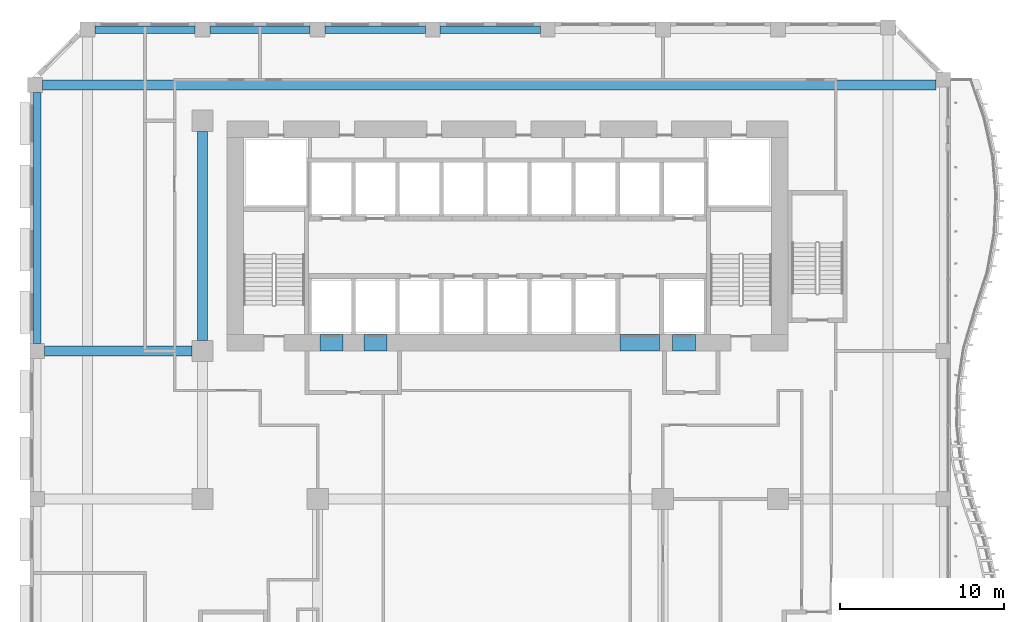
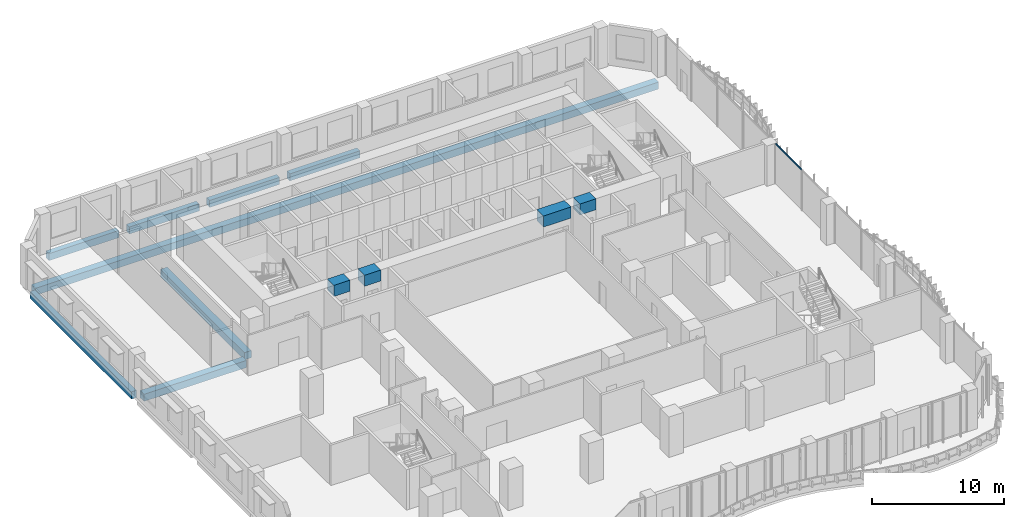
# One storey, part 7 of 24: 12 beams, 1 member, 1 element without a shape of its own.
"""IFC4 building model written with IfcOpenShell, lengths in metres."""

from ifc_helpers import new_model, si_unit, direction, frame, origin, origin_2d, place, context, subcontext, project, spatial, rectangle, extrude, source, transform, mapped, material, material_profile, profile_set, type_object, element, aggregate, save


model = new_model("IFC4")

# Units and contexts
model_context = context("Model", 3, precision=1e-05, world=origin(), true_north=direction((0.0, 1.0)))
body_context = subcontext(model_context, "Body", "Model", "MODEL_VIEW")
ifc_project = project(units=[si_unit("LENGTHUNIT", "METRE"), si_unit("AREAUNIT", "SQUARE_METRE"), si_unit("VOLUMEUNIT", "CUBIC_METRE"), si_unit("PLANEANGLEUNIT", "RADIAN"), si_unit("MASSUNIT", "GRAM", prefix="KILO")], contexts=[model_context])

# Site, building, storey
site_placement = place(None, origin())
site = spatial("IfcSite", under=ifc_project, at=site_placement, CompositionType="ELEMENT")
building_placement = place(site_placement, origin())
building = spatial("IfcBuilding", under=site, at=building_placement, Name="Kilnfold Tower and Market Hall", CompositionType="ELEMENT")
storey_placement = place(building_placement, frame((0.0, 0.0, 35.0)))
storey = spatial("IfcBuildingStorey", under=building, at=storey_placement, Name="L07", CompositionType="ELEMENT", Elevation=35.0)

# Beams
ifc_material_1 = material(Name="Concrete C45", Category="concrete")
ifc_material_profile_1 = material_profile(ifc_material_1, rectangle(XDim=0.449951171875, YDim=0.64990234375, at=origin_2d()), Name="RC 450x650")
ifc_profile_set_1 = profile_set([ifc_material_profile_1], Name="Concrete C45")
beam_type_1 = type_object("IfcBeamType", Name="EDGE BEAM 450X650 C45", PredefinedType="BEAM", material=ifc_profile_set_1)
shared_shape_1 = source(origin(), body_context, "Body", "SweptSolid", [
    extrude(rectangle(XDim=0.449951171875, YDim=0.64990234375, at=origin_2d()), origin(), (0.0, 0.0, 1.0), 6.10009765625),
])
for number, where, z_axis, x_axis, name in (
    (1, (-24.050048828125, 27.550048828125, -0.60498046875), (1.0, 0.0, 0.0), (0.0, 1.0, 0.0), "Beam EB650-B1.23"),
    (2, (-17.050048828125, 27.550048828125, -0.60498046875), (1.0, 0.0, 0.0), (0.0, 1.0, 0.0), "Beam EB650-B1.24"),
    (3, (-10.050048828125, 27.550048828125, -0.60498046875), (1.0, 0.0, 0.0), (0.0, 1.0, 0.0), "Beam EB650-B1.25"),
    (4, (-3.050048828125, 27.550048828125, -0.60498046875), (1.0, 0.0, 0.0), (0.0, 1.0, 0.0), "Beam EB650-B1.26"),
):
    element("IfcBeam", number, at=place(storey_placement, frame(where, z_axis=z_axis, x_axis=x_axis)), inside=storey, type_object=beam_type_1, Name=name, PredefinedType="BEAM", context=body_context, shape_type="MappedRepresentation", body=[
        mapped(shared_shape_1, transform((0.0, 0.0, 0.0))),
    ])
ifc_material_2 = material(Name="Concrete C45", Category="concrete")
ifc_material_profile_2 = material_profile(ifc_material_2, rectangle(XDim=0.60009765625, YDim=0.64990234375, at=origin_2d()), Name="RC 600x650")
ifc_profile_set_2 = profile_set([ifc_material_profile_2], Name="Concrete C45")
beam_type_2 = type_object("IfcBeamType", Name="BEAM 600X650 C45", PredefinedType="BEAM", material=ifc_profile_set_2)
shared_shape_2 = source(origin(), body_context, "Body", "SweptSolid", [
    extrude(rectangle(XDim=0.60009765625, YDim=0.64990234375, at=origin_2d()), origin(), (0.0, 0.0, 1.0), 8.9501953125),
])
beam_1_placement = place(storey_placement, frame((-27.10009765625, 8.0, -0.60498046875), z_axis=(1.0, 0.0, 0.0), x_axis=(0.0, 1.0, 0.0)))
element("IfcBeam", 5, at=beam_1_placement, inside=storey, type_object=beam_type_2, Name="Beam BB650-B1.21", PredefinedType="BEAM", context=body_context, shape_type="MappedRepresentation", body=[
    mapped(shared_shape_2, transform((0.0, 0.0, 0.0))),
])
shared_shape_3 = source(origin(), body_context, "Body", "SweptSolid", [
    extrude(rectangle(XDim=0.60009765625, YDim=0.64990234375, at=origin_2d()), origin(), (0.0, 0.0, 1.0), 54.331787109375),
])
beam_2_placement = place(storey_placement, frame((-27.231689453125, 24.179931640625, -0.60498046875), z_axis=(1.0, 0.0, 0.0), x_axis=(0.0, 1.0, 0.0)))
element("IfcBeam", 6, at=beam_2_placement, inside=storey, type_object=beam_type_2, Name="Beam BB650-B1.22", PredefinedType="BEAM", context=body_context, shape_type="MappedRepresentation", body=[
    mapped(shared_shape_3, transform((0.0, 0.0, 0.0))),
])
shared_shape_4 = source(origin(), body_context, "Body", "SweptSolid", [
    extrude(rectangle(XDim=0.449951171875, YDim=0.64990234375, at=origin_2d()), origin(), (0.0, 0.0, 1.0), 15.28173828125),
])
beam_3_placement = place(storey_placement, frame((-27.550048828125, 8.449951171875, -0.60498046875), z_axis=(0.0, 1.0, 0.0), x_axis=(-1.0, 0.0, 0.0)))
element("IfcBeam", 7, at=beam_3_placement, inside=storey, type_object=beam_type_1, Name="Beam EB650-B1.34", PredefinedType="BEAM", context=body_context, shape_type="MappedRepresentation", body=[
    mapped(shared_shape_4, transform((0.0, 0.0, 0.0))),
])
shared_shape_5 = source(origin(), body_context, "Body", "SweptSolid", [
    extrude(rectangle(XDim=0.60009765625, YDim=0.64990234375, at=origin_2d()), origin(), (0.0, 0.0, 1.0), 12.7001953125),
])
beam_4_placement = place(storey_placement, frame((-17.5, 8.64990234375, -0.60498046875), z_axis=(0.0, 1.0, 0.0), x_axis=(-1.0, 0.0, 0.0)))
element("IfcBeam", 8, at=beam_4_placement, inside=storey, type_object=beam_type_2, Name="Beam BB650-B1.38", PredefinedType="BEAM", context=body_context, shape_type="MappedRepresentation", body=[
    mapped(shared_shape_5, transform((0.0, 0.0, 0.0))),
])
ifc_material_3 = material(Name="Concrete C80", Category="concrete")
ifc_material_profile_3 = material_profile(ifc_material_3, rectangle(XDim=1.0, YDim=1.02001953125, at=origin_2d()), Name="RC 1000x1020")
ifc_profile_set_3 = profile_set([ifc_material_profile_3], Name="Concrete C80")
beam_type_3 = type_object("IfcBeamType", Name="COUPLING BEAM 1000X1020 C80", PredefinedType="BEAM", material=ifc_profile_set_3)
shared_shape_6 = source(origin(), body_context, "Body", "SweptSolid", [
    extrude(rectangle(XDim=1.0, YDim=1.02001953125, at=origin_2d()), origin(), (0.0, 0.0, 1.0), 1.400146484375),
])
beam_5_placement = place(storey_placement, frame((-10.3701171875, 8.5, 3.2099609375), z_axis=(1.0, 0.0, 0.0), x_axis=(0.0, 1.0, 0.0)))
element("IfcBeam", 9, at=beam_5_placement, inside=storey, type_object=beam_type_3, Name="Coupling beam CB1020-80-CORE.42", PredefinedType="BEAM", context=body_context, shape_type="MappedRepresentation", body=[
    mapped(shared_shape_6, transform((0.0, 0.0, 0.0))),
])
shared_shape_7 = source(origin(), body_context, "Body", "SweptSolid", [
    extrude(rectangle(XDim=1.0, YDim=1.02001953125, at=origin_2d()), origin(), (0.0, 0.0, 1.0), 1.39990234375),
])
for number, where, z_axis, x_axis, name in (
    (10, (-7.68994140625, 8.5, 3.2099609375), (1.0, 0.0, 0.0), (0.0, 1.0, 0.0), "Coupling beam CB1020-80-CORE.43"),
    (11, (11.070068359375, 8.5, 3.2099609375), (1.0, 0.0, 0.0), (0.0, 1.0, 0.0), "Coupling beam CB1020-80-CORE.45"),
):
    element("IfcBeam", number, at=place(storey_placement, frame(where, z_axis=z_axis, x_axis=x_axis)), inside=storey, type_object=beam_type_3, Name=name, PredefinedType="BEAM", context=body_context, shape_type="MappedRepresentation", body=[
        mapped(shared_shape_7, transform((0.0, 0.0, 0.0))),
    ])
shared_shape_8 = source(origin(), body_context, "Body", "SweptSolid", [
    extrude(rectangle(XDim=1.0, YDim=1.02001953125, at=origin_2d()), origin(), (0.0, 0.0, 1.0), 2.400146484375),
])
beam_6_placement = place(storey_placement, frame((7.889892578125, 8.5, 3.2099609375), z_axis=(1.0, 0.0, 0.0), x_axis=(0.0, 1.0, 0.0)))
element("IfcBeam", 12, at=beam_6_placement, inside=storey, type_object=beam_type_3, Name="Coupling beam CB1020-80-CORE.44", PredefinedType="BEAM", context=body_context, shape_type="MappedRepresentation", body=[
    mapped(shared_shape_8, transform((0.0, 0.0, 0.0))),
])

# Curtain wall, member
ifc_material_4 = material(Name="Aluminium and double glazing", Category="aluminium")
curtain_wall_type = type_object("IfcCurtainWallType", Name="CW OF1 VALLEY GLAZING", PredefinedType="NOTDEFINED", material=ifc_material_4)
curtain_wall_placement = place(storey_placement, origin())
curtain_wall = element("IfcCurtainWall", 13, at=curtain_wall_placement, inside=storey, type_object=curtain_wall_type, Name="Curtain wall CW1 L07 E", PredefinedType="NOTDEFINED")
ifc_material_5 = material(Name="Aluminium", Category="aluminium")
ifc_material_profile_4 = material_profile(ifc_material_5, rectangle(XDim=0.06005859375, YDim=0.139892578125, at=origin_2d()), Name="TRANSOM 60x140")
ifc_profile_set_4 = profile_set([ifc_material_profile_4], Name="Aluminium")
member_type = type_object("IfcMemberType", Name="TRANSOM 60X140", PredefinedType="USERDEFINED", material=ifc_profile_set_4)
shared_shape_9 = source(origin(), body_context, "Body", "SweptSolid", [
    extrude(rectangle(XDim=0.06005859375, YDim=0.139892578125, at=origin_2d()), origin(), (0.0, 0.0, 1.0), 3.929931640625),
])
member_placement = place(storey_placement, frame((27.85009765625, 3.56005859375, 3.68994140625), z_axis=(0.0, 1.0, 0.0), x_axis=(-1.0, 0.0, 0.0)))
member = element("IfcMember", 14, at=member_placement, type_object=member_type, Name="CW1 transom 1.2", ObjectType="TRANSOM", PredefinedType="USERDEFINED", context=body_context, shape_type="MappedRepresentation", body=[
    mapped(shared_shape_9, transform((0.0, 0.0, 0.0))),
])
aggregate(curtain_wall, [member])

save(model, "model.ifc")
